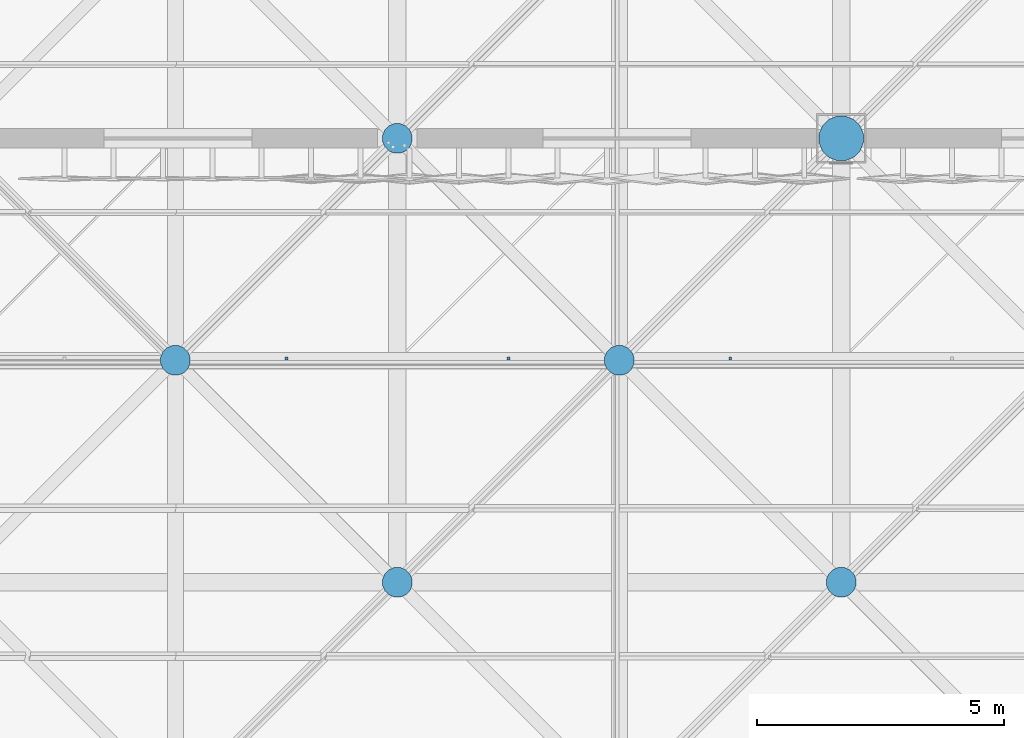
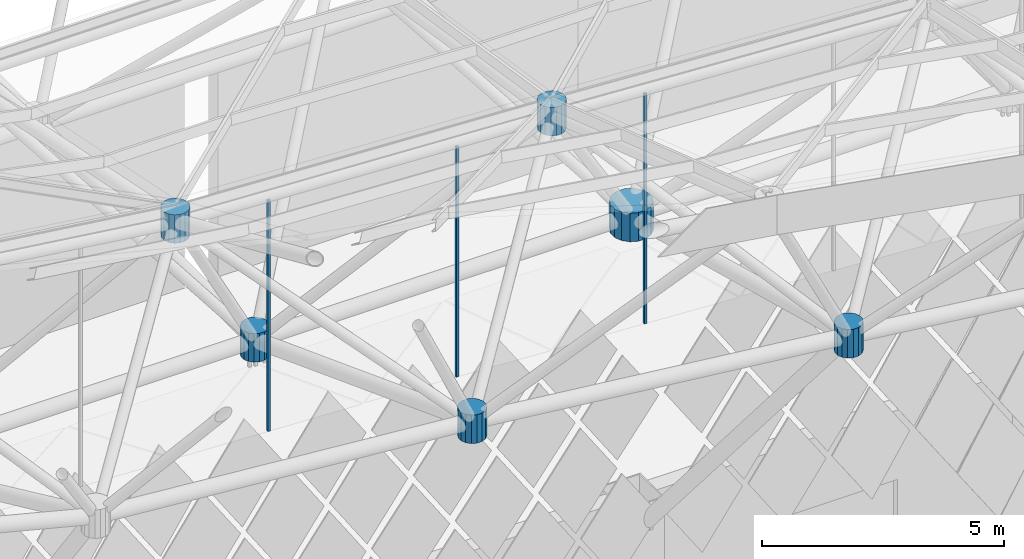
# One storey, part 288 of 437: 9 discrete accessories.
"""IFC4 building model written with IfcOpenShell, lengths in metres."""

import ifcopenshell
import ifcopenshell.guid

model = None  # the IFC model being written
_history = None  # IfcOwnerHistory: only IFC2X3 demands one
_inside = {}  # id of a spatial element -> (the spatial element, [elements in it])
_under = {}  # id of a project, library or spatial element -> (it, [spatial elements below it])
_declared = {}  # id of a project -> (the project, [libraries it declares])
_typed = {}  # id of a type object -> (the type object, [elements of that type])
_made_of = {}  # id of a material, layer set ... -> (it, [elements and type objects made of it])


def new_model(schema):
    """Start an empty IFC model of exactly this schema.

    Asked for "IFC4X3", IfcOpenShell would pick the latest addendum, in which some entities
    have other attributes; the version numbers below select the first issue.
    IFC2X3 requires an IfcOwnerHistory on every rooted entity: one is made here for all.
    """
    global model, _history
    if schema == "IFC4X3":
        model = ifcopenshell.file(schema_version=(4, 3, 0, 0))
    else:
        model = ifcopenshell.file(schema=schema)
    _inside.clear()
    _under.clear()
    _declared.clear()
    _typed.clear()
    _made_of.clear()
    _history = None
    if model.schema == "IFC2X3":
        org = make("IfcOrganization", Name="unknown")
        user = make(
            "IfcPersonAndOrganization",
            ThePerson=make("IfcPerson", FamilyName="unknown"),
            TheOrganization=org,
        )
        app = make(
            "IfcApplication",
            ApplicationDeveloper=org,
            Version="unknown",
            ApplicationFullName="unknown",
            ApplicationIdentifier="unknown",
        )
        _history = make(
            "IfcOwnerHistory",
            OwningUser=user,
            OwningApplication=app,
            ChangeAction="ADDED",
            CreationDate=0,
        )
    return model


def make(cls, **values):
    """One entity of the class cls with the attributes given. An attribute that is None is left unset."""
    return model.create_entity(
        cls, **{name: value for name, value in values.items() if value is not None}
    )


def rooted(cls, **values):
    """An entity with a GlobalId (a new one), such as an element, a storey or a relation."""
    return make(cls, GlobalId=ifcopenshell.guid.new(), OwnerHistory=_history, **values)


def si_unit(unit_type, name, prefix=None):
    """IfcSIUnit, for example si_unit("LENGTHUNIT", "METRE", prefix="MILLI")."""
    return make("IfcSIUnit", UnitType=unit_type, Prefix=prefix, Name=name)


def assignment(units):
    """IfcUnitAssignment: the units of a project."""
    return None if units is None else make("IfcUnitAssignment", Units=units)


def point(xyz):
    """IfcCartesianPoint."""
    return None if xyz is None else make("IfcCartesianPoint", Coordinates=xyz)


def direction(xyz):
    """IfcDirection."""
    return None if xyz is None else make("IfcDirection", DirectionRatios=xyz)


def frame(location, z_axis=None, x_axis=None):
    """IfcAxis2Placement3D, a coordinate frame: its origin and axes. An axis left out is left unset."""
    return make(
        "IfcAxis2Placement3D",
        Location=point(location),
        Axis=direction(z_axis),
        RefDirection=direction(x_axis),
    )


def origin():
    """The frame at (0, 0, 0) with its axes left unset."""
    return frame((0.0, 0.0, 0.0))


def place(relative_to, where):
    """IfcLocalPlacement: puts the frame where relative to a parent placement (None: the world)."""
    return make(
        "IfcLocalPlacement", PlacementRelTo=relative_to, RelativePlacement=where
    )


def context(
    kind, dimensions, precision=None, world=None, true_north=None, identifier=None
):
    """IfcGeometricRepresentationContext, for example the 3D "Model" context."""
    return make(
        "IfcGeometricRepresentationContext",
        ContextIdentifier=identifier,
        ContextType=kind,
        CoordinateSpaceDimension=dimensions,
        Precision=precision,
        WorldCoordinateSystem=world,
        TrueNorth=true_north,
    )


def subcontext(parent, identifier, kind, view, scale=None):
    """IfcGeometricRepresentationSubContext, for example "Body" below "Model"."""
    return make(
        "IfcGeometricRepresentationSubContext",
        ContextIdentifier=identifier,
        ContextType=kind,
        ParentContext=parent,
        TargetScale=scale,
        TargetView=view,
    )


def project(units=None, contexts=None):
    """IfcProject with its units and contexts."""
    return rooted(
        "IfcProject",
        Name="project",
        RepresentationContexts=contexts,
        UnitsInContext=assignment(units),
    )


def spatial(cls, under=None, at=None, **own):
    """A site, building, storey or space (cls), placed at a placement, below another one or the project."""
    s = rooted(cls, ObjectPlacement=at, **own)
    if under is not None:
        _under.setdefault(under.id(), (under, []))[1].append(s)
    return s


def polyline(points):
    """IfcPolyline through the points."""
    return make("IfcPolyline", Points=[point(p) for p in points])


def outline(outer, holes=None, kind="AREA"):
    """IfcArbitraryClosedProfileDef: a profile drawn as a closed curve; with holes, ...WithVoids."""
    if holes is None:
        return make("IfcArbitraryClosedProfileDef", ProfileType=kind, OuterCurve=outer)
    return make(
        "IfcArbitraryProfileDefWithVoids",
        ProfileType=kind,
        OuterCurve=outer,
        InnerCurves=holes,
    )


def extrude(swept, where, along, depth):
    """IfcExtrudedAreaSolid: the profile swept, set in the frame where, extruded along a direction by depth."""
    return make(
        "IfcExtrudedAreaSolid",
        SweptArea=swept,
        Position=where,
        ExtrudedDirection=direction(along),
        Depth=depth,
    )


def shape(context_of_items, identifier, shape_type, items):
    """IfcShapeRepresentation: the items that make up one representation, for example the "Body"."""
    return make(
        "IfcShapeRepresentation",
        ContextOfItems=context_of_items,
        RepresentationIdentifier=identifier,
        RepresentationType=shape_type,
        Items=items,
    )


def material(Name=None, Category=None):
    """IfcMaterial."""
    return make("IfcMaterial", Name=Name, Category=Category)


def made_of(thing, what):
    """Note that an element or type object is made of a material, layer set ...; save() writes the relation."""
    if what is not None:
        _made_of.setdefault(what.id(), (what, []))[1].append(thing)
    return thing


def type_object(cls, material=None, **own):
    """A type object (cls), such as IfcWallType, which elements share."""
    return made_of(rooted(cls, **own), material)


def element(
    cls,
    number,
    at=None,
    inside=None,
    cuts=None,
    type_object=None,
    material=None,
    context=None,
    identifier="Body",
    shape_type=None,
    held_by="IfcProductDefinitionShape",
    body=None,
    shapes=None,
    **own,
):
    """One element of the class cls, such as IfcWall. Its Tag is "e" and its number.

    at: its placement. inside: the storey or other place that contains it. cuts: it is an
    opening in that element (IfcRelVoidsElement). A single representation is given by context,
    identifier, shape_type and body (its items); several are given by shapes. held_by: the class
    of the entity that holds the representations. save() writes the other relations.
    """
    e = rooted(cls, Tag="e%d" % number, ObjectPlacement=at, **own)
    if body is not None:
        shapes = [shape(context, identifier, shape_type, body)]
    if shapes is not None:
        e.Representation = make(held_by, Representations=shapes)
    if inside is not None:
        _inside.setdefault(inside.id(), (inside, []))[1].append(e)
    if cuts is not None:
        rooted(
            "IfcRelVoidsElement", RelatingBuildingElement=cuts, RelatedOpeningElement=e
        )
    if type_object is not None:
        _typed.setdefault(type_object.id(), (type_object, []))[1].append(e)
    return made_of(e, material)


def aggregate(whole, parts):
    """IfcRelAggregates: a whole, such as a stair, and the parts it consists of."""
    return rooted("IfcRelAggregates", RelatingObject=whole, RelatedObjects=parts)


def save(model, path):
    """Write the relations noted so far, then the file.

    IfcRelAggregates (storeys below a building ...), IfcRelContainedInSpatialStructure (elements
    in a storey), IfcRelDefinesByType, IfcRelAssociatesMaterial and IfcRelDeclares: one each for
    every whole, place, type object, material and project.
    """
    for whole, parts in _under.values():
        aggregate(whole, parts)
    for where, things in _inside.values():
        rooted(
            "IfcRelContainedInSpatialStructure",
            RelatedElements=things,
            RelatingStructure=where,
        )
    for kind, things in _typed.values():
        rooted("IfcRelDefinesByType", RelatedObjects=things, RelatingType=kind)
    for what, things in _made_of.values():
        rooted("IfcRelAssociatesMaterial", RelatedObjects=things, RelatingMaterial=what)
    for by, libraries in _declared.values():
        rooted("IfcRelDeclares", RelatingContext=by, RelatedDefinitions=libraries)
    model.write(path)


model = new_model("IFC4")

# Units and contexts
model_context = context("Model", 3, precision=1e-05, world=origin(), true_north=direction((0.0, 1.0)))
body_context = subcontext(model_context, "Body", "Model", "MODEL_VIEW")
ifc_project = project(units=[si_unit("LENGTHUNIT", "METRE"), si_unit("AREAUNIT", "SQUARE_METRE"), si_unit("VOLUMEUNIT", "CUBIC_METRE"), si_unit("PLANEANGLEUNIT", "RADIAN"), si_unit("MASSUNIT", "GRAM", prefix="KILO")], contexts=[model_context])

# Site, building, storey
site_placement = place(None, origin())
site = spatial("IfcSite", under=ifc_project, at=site_placement, CompositionType="ELEMENT")
building_placement = place(site_placement, origin())
building = spatial("IfcBuilding", under=site, at=building_placement, Name="Opaline Strait Convention Centre", CompositionType="ELEMENT")
storey_placement = place(building_placement, frame((0.0, 0.0, 11.5)))
storey = spatial("IfcBuildingStorey", under=building, at=storey_placement, Name="L02", CompositionType="ELEMENT", Elevation=11.5)

# Discrete accessories
ifc_material_1 = material(Name="Steel Q355B", Category="steel")
discrete_accessory_type_1 = type_object("IfcDiscreteAccessoryType", Name="Soffit hanger 60x60 steel", PredefinedType="BRACKET", material=ifc_material_1)
discrete_accessory_1_placement = place(storey_placement, frame((0.0, 0.0, 13.696533203125)))
element("IfcDiscreteAccessory", 1, at=discrete_accessory_1_placement, inside=storey, type_object=discrete_accessory_type_1, Name="Soffit hanger", PredefinedType="BRACKET", context=body_context, shape_type="SweptSolid", body=[
    extrude(outline(polyline([(105.719970703125, 49.5048828125), (105.780029296875, 49.5048828125), (105.780029296875, 49.56494140625), (105.719970703125, 49.56494140625), (105.719970703125, 49.5048828125)])), origin(), (0.0, 0.0, 1.0), 5.84130859375),
])
discrete_accessory_2_placement = place(storey_placement, frame((0.0, 0.0, 13.495361328125)))
element("IfcDiscreteAccessory", 2, at=discrete_accessory_2_placement, inside=storey, type_object=discrete_accessory_type_1, Name="Soffit hanger", PredefinedType="BRACKET", context=body_context, shape_type="SweptSolid", body=[
    extrude(outline(polyline([(110.219970703125, 49.5048828125), (110.280029296875, 49.5048828125), (110.280029296875, 49.56494140625), (110.219970703125, 49.56494140625), (110.219970703125, 49.5048828125)])), origin(), (0.0, 0.0, 1.0), 5.82421875),
])
discrete_accessory_3_placement = place(storey_placement, frame((0.0, 0.0, 13.264892578125)))
element("IfcDiscreteAccessory", 3, at=discrete_accessory_3_placement, inside=storey, type_object=discrete_accessory_type_1, Name="Soffit hanger", PredefinedType="BRACKET", context=body_context, shape_type="SweptSolid", body=[
    extrude(outline(polyline([(114.719970703125, 49.5048828125), (114.780029296875, 49.5048828125), (114.780029296875, 49.56494140625), (114.719970703125, 49.56494140625), (114.719970703125, 49.5048828125)])), origin(), (0.0, 0.0, 1.0), 5.817626953125),
])
ifc_material_2 = material(Name="Cast steel ZG300-500H (300 MPa)", Category="steel")
discrete_accessory_type_2 = type_object("IfcDiscreteAccessoryType", Name="Space frame bearing node hub D900", PredefinedType="USERDEFINED", material=ifc_material_2)
discrete_accessory_4_placement = place(storey_placement, frame((0.0, 0.0, 12.139892578125)))
element("IfcDiscreteAccessory", 4, at=discrete_accessory_4_placement, inside=storey, type_object=discrete_accessory_type_2, Name="Bottom node 4/2", ObjectType="NODE HUB", PredefinedType="USERDEFINED", context=body_context, shape_type="SweptSolid", body=[
    extrude(outline(polyline([(117.449951171875, 54.089599609375), (117.381591796875, 54.2548828125), (117.2548828125, 54.381591796875), (117.089599609375, 54.449951171875), (116.910400390625, 54.449951171875), (116.7451171875, 54.381591796875), (116.618408203125, 54.2548828125), (116.550048828125, 54.089599609375), (116.550048828125, 53.910400390625), (116.618408203125, 53.7451171875), (116.7451171875, 53.618408203125), (116.910400390625, 53.550048828125), (117.089599609375, 53.550048828125), (117.2548828125, 53.618408203125), (117.381591796875, 53.7451171875), (117.449951171875, 53.910400390625), (117.449951171875, 54.089599609375)])), origin(), (0.0, 0.0, 1.0), 0.72021484375),
])
discrete_accessory_type_3 = type_object("IfcDiscreteAccessoryType", Name="Space frame node hub D600", PredefinedType="USERDEFINED", material=ifc_material_2)
discrete_accessory_5_placement = place(storey_placement, frame((0.0, 0.0, 19.449462890625)))
element("IfcDiscreteAccessory", 5, at=discrete_accessory_5_placement, inside=storey, type_object=discrete_accessory_type_3, Name="Top node 3/2", ObjectType="NODE HUB", PredefinedType="USERDEFINED", context=body_context, shape_type="SweptSolid", body=[
    extrude(outline(polyline([(103.800048828125, 49.559814453125), (103.75439453125, 49.669921875), (103.669921875, 49.75439453125), (103.559814453125, 49.800048828125), (103.440185546875, 49.800048828125), (103.330078125, 49.75439453125), (103.24560546875, 49.669921875), (103.199951171875, 49.559814453125), (103.199951171875, 49.440185546875), (103.24560546875, 49.330078125), (103.330078125, 49.24560546875), (103.440185546875, 49.199951171875), (103.559814453125, 49.199951171875), (103.669921875, 49.24560546875), (103.75439453125, 49.330078125), (103.800048828125, 49.440185546875), (103.800048828125, 49.559814453125)])), origin(), (0.0, 0.0, 1.0), 0.719970703125),
])
discrete_accessory_6_placement = place(storey_placement, frame((0.0, 0.0, 19.012939453125)))
element("IfcDiscreteAccessory", 6, at=discrete_accessory_6_placement, inside=storey, type_object=discrete_accessory_type_3, Name="Top node 4/2", ObjectType="NODE HUB", PredefinedType="USERDEFINED", context=body_context, shape_type="SweptSolid", body=[
    extrude(outline(polyline([(112.800048828125, 49.559814453125), (112.75439453125, 49.669921875), (112.669921875, 49.75439453125), (112.559814453125, 49.800048828125), (112.440185546875, 49.800048828125), (112.330078125, 49.75439453125), (112.24560546875, 49.669921875), (112.199951171875, 49.559814453125), (112.199951171875, 49.440185546875), (112.24560546875, 49.330078125), (112.330078125, 49.24560546875), (112.440185546875, 49.199951171875), (112.559814453125, 49.199951171875), (112.669921875, 49.24560546875), (112.75439453125, 49.330078125), (112.800048828125, 49.440185546875), (112.800048828125, 49.559814453125)])), origin(), (0.0, 0.0, 1.0), 0.719970703125),
])
discrete_accessory_7_placement = place(storey_placement, frame((0.0, 0.0, 15.54150390625)))
element("IfcDiscreteAccessory", 7, at=discrete_accessory_7_placement, inside=storey, type_object=discrete_accessory_type_3, Name="Bottom node 3/1", ObjectType="NODE HUB", PredefinedType="USERDEFINED", context=body_context, shape_type="SweptSolid", body=[
    extrude(outline(polyline([(108.300048828125, 45.059814453125), (108.25439453125, 45.169921875), (108.169921875, 45.25439453125), (108.059814453125, 45.300048828125), (107.940185546875, 45.300048828125), (107.830078125, 45.25439453125), (107.74560546875, 45.169921875), (107.699951171875, 45.059814453125), (107.699951171875, 44.940185546875), (107.74560546875, 44.830078125), (107.830078125, 44.74560546875), (107.940185546875, 44.699951171875), (108.059814453125, 44.699951171875), (108.169921875, 44.74560546875), (108.25439453125, 44.830078125), (108.300048828125, 44.940185546875), (108.300048828125, 45.059814453125)])), origin(), (0.0, 0.0, 1.0), 0.719970703125),
])
discrete_accessory_8_placement = place(storey_placement, frame((0.0, 0.0, 12.139892578125)))
element("IfcDiscreteAccessory", 8, at=discrete_accessory_8_placement, inside=storey, type_object=discrete_accessory_type_3, Name="Bottom node 3/2", ObjectType="NODE HUB", PredefinedType="USERDEFINED", context=body_context, shape_type="SweptSolid", body=[
    extrude(outline(polyline([(108.300048828125, 54.059814453125), (108.25439453125, 54.169921875), (108.169921875, 54.25439453125), (108.059814453125, 54.300048828125), (107.940185546875, 54.300048828125), (107.830078125, 54.25439453125), (107.74560546875, 54.169921875), (107.699951171875, 54.059814453125), (107.699951171875, 53.940185546875), (107.74560546875, 53.830078125), (107.830078125, 53.74560546875), (107.940185546875, 53.699951171875), (108.059814453125, 53.699951171875), (108.169921875, 53.74560546875), (108.25439453125, 53.830078125), (108.300048828125, 53.940185546875), (108.300048828125, 54.059814453125)])), origin(), (0.0, 0.0, 1.0), 0.72021484375),
])
discrete_accessory_9_placement = place(storey_placement, frame((0.0, 0.0, 14.55078125)))
element("IfcDiscreteAccessory", 9, at=discrete_accessory_9_placement, inside=storey, type_object=discrete_accessory_type_3, Name="Bottom node 4/1", ObjectType="NODE HUB", PredefinedType="USERDEFINED", context=body_context, shape_type="SweptSolid", body=[
    extrude(outline(polyline([(117.300048828125, 45.059814453125), (117.25439453125, 45.169921875), (117.169921875, 45.25439453125), (117.059814453125, 45.300048828125), (116.940185546875, 45.300048828125), (116.830078125, 45.25439453125), (116.74560546875, 45.169921875), (116.699951171875, 45.059814453125), (116.699951171875, 44.940185546875), (116.74560546875, 44.830078125), (116.830078125, 44.74560546875), (116.940185546875, 44.699951171875), (117.059814453125, 44.699951171875), (117.169921875, 44.74560546875), (117.25439453125, 44.830078125), (117.300048828125, 44.940185546875), (117.300048828125, 45.059814453125)])), origin(), (0.0, 0.0, 1.0), 0.719970703125),
])

save(model, "model.ifc")
